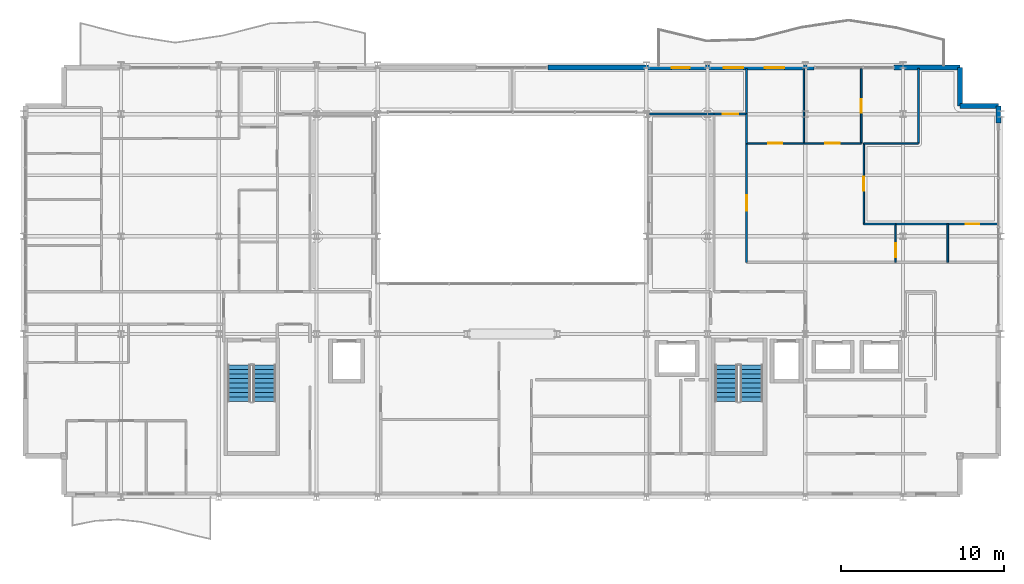
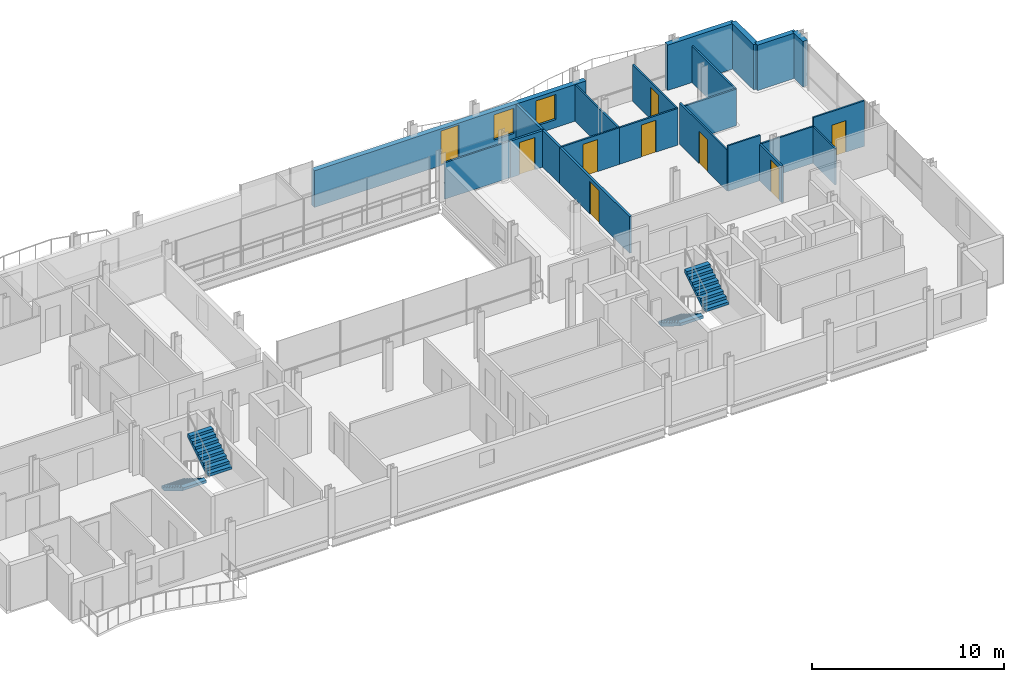
# One storey, part 32 of 35: 22 walls, 9 doors, 4 stair flights, 2 windows, 11 openings, 2 elements without a shape of their own.
"""IFC4 building model written with IfcOpenShell, lengths in metres."""

from ifc_helpers import new_model, si_unit, direction, frame, frame_2d, origin, place, context, subcontext, project, spatial, polyline, rectangle, outline, extrude, material, layer, layer_set, type_object, element, fill, aggregate, save


model = new_model("IFC4")

# Units and contexts
model_context = context("Model", 3, precision=1e-05, world=origin(), true_north=direction((0.0, 1.0)))
body_context = subcontext(model_context, "Body", "Model", "MODEL_VIEW")
ifc_project = project(units=[si_unit("LENGTHUNIT", "METRE"), si_unit("AREAUNIT", "SQUARE_METRE"), si_unit("VOLUMEUNIT", "CUBIC_METRE"), si_unit("PLANEANGLEUNIT", "RADIAN"), si_unit("MASSUNIT", "GRAM", prefix="KILO")], contexts=[model_context])

# Site, building, storey
site_placement = place(None, origin())
site = spatial("IfcSite", under=ifc_project, at=site_placement, CompositionType="ELEMENT")
building_placement = place(site_placement, origin())
building = spatial("IfcBuilding", under=site, at=building_placement, Name="Brevholm Reach", CompositionType="ELEMENT")
storey_placement = place(building_placement, frame((0.0, 0.0, 183.199951171875)))
storey = spatial("IfcBuildingStorey", under=building, at=storey_placement, Name="L55", CompositionType="ELEMENT", Elevation=183.199951171875)

# Walls
ifc_material_1 = material(Name="Concrete C40/50", Category="concrete")
ifc_layer_1 = layer(ifc_material_1, 0.300048828125)
ifc_layer_set_1 = layer_set([ifc_layer_1], Name="Concrete C40/50")
wall_type_1 = type_object("IfcWallType", Name="WAL-EXT-300", PredefinedType="STANDARD", material=ifc_layer_set_1)
for number, where, z_axis, x_axis, name in (
    (1, (59.85009765625, 24.0, 0.0), (0.0, 0.0, 1.0), (-1.0, 0.0, 0.0), "L55 Facade Wall WAL-L55-CNE1"),
    (2, (57.5, 24.0, 0.0), (0.0, 0.0, 1.0), (0.0, 1.0, 0.0), "L55 Facade Wall WAL-L55-CNE2"),
):
    element("IfcWall", number, at=place(storey_placement, frame(where, z_axis=z_axis, x_axis=x_axis)), inside=storey, type_object=wall_type_1, Name=name, PredefinedType="STANDARD", context=body_context, shape_type="SweptSolid", body=[
        extrude(rectangle(XDim=2.35009765625, YDim=0.300048828125, at=frame_2d((1.175048828125, 0.0))), origin(), (0.0, 0.0, 1.0), 2.89013671875),
    ])
wall_1_placement = place(storey_placement, frame((59.85009765625, 22.949951171875, 0.0), z_axis=(0.0, 0.0, 1.0), x_axis=(0.0, 1.0, 0.0)))
element("IfcWall", 3, at=wall_1_placement, inside=storey, type_object=wall_type_1, Name="L55 Facade Wall WAL-L55-E-N", PredefinedType="STANDARD", context=body_context, shape_type="SweptSolid", body=[
    extrude(rectangle(XDim=1.050048828125, YDim=0.300048828125, at=frame_2d((0.52490234375, 0.0))), origin(), (0.0, 0.0, 1.0), 2.89013671875),
])
wall_2_placement = place(storey_placement, frame((53.449951171875, 26.35009765625, 0.0), z_axis=(0.0, 0.0, 1.0), x_axis=(1.0, 0.0, 0.0)))
element("IfcWall", 4, at=wall_2_placement, inside=storey, type_object=wall_type_1, Name="L55 Facade Wall WAL-L55-NP-E0", PredefinedType="STANDARD", context=body_context, shape_type="SweptSolid", body=[
    extrude(rectangle(XDim=4.050048828125, YDim=0.300048828125, at=frame_2d((2.02490234375, 0.0))), origin(), (0.0, 0.0, 1.0), 2.89013671875),
])

# Wall, openings, door, windows
wall_3_placement = place(storey_placement, frame((32.199951171875, 26.35009765625, 0.0), z_axis=(0.0, 0.0, 1.0), x_axis=(1.0, 0.0, 0.0)))
wall_3 = element("IfcWall", 5, at=wall_3_placement, inside=storey, type_object=wall_type_1, Name="L55 Facade Wall WAL-L55-NP-ER", PredefinedType="STANDARD", context=body_context, shape_type="SweptSolid", body=[
    extrude(rectangle(XDim=16.35009765625, YDim=0.300048828125, at=frame_2d((8.175048828125, 0.0))), origin(), (0.0, 0.0, 1.0), 2.33203125),
])
opening_1_placement = place(wall_3_placement, frame((7.60009765625, 0.0, 0.0)))
opening_1 = element("IfcOpeningElement", 6, at=opening_1_placement, cuts=wall_3, Name="Opening BD-01", PredefinedType="OPENING", context=body_context, shape_type="SweptSolid", body=[
    extrude(rectangle(XDim=1.10009765625, YDim=2.199951171875, at=frame_2d((0.550048828125, 1.10009765625))), frame((0.0, 0.159912109375, 0.0), z_axis=(0.0, -1.0, 0.0), x_axis=(1.0, 0.0, 0.0)), (0.0, 0.0, 1.0), 0.320068359375),
])
opening_2_placement = place(wall_3_placement, frame((10.800048828125, 0.0, 0.511962890625)))
opening_2 = element("IfcOpeningElement", 7, at=opening_2_placement, cuts=wall_3, Name="Opening WN-08", PredefinedType="OPENING", context=body_context, shape_type="SweptSolid", body=[
    extrude(rectangle(XDim=1.199951171875, YDim=1.60009765625, at=frame_2d((0.60009765625, 0.800048828125))), frame((0.0, 0.159912109375, 0.0), z_axis=(0.0, -1.0, 0.0), x_axis=(1.0, 0.0, 0.0)), (0.0, 0.0, 1.0), 0.320068359375),
])
opening_3_placement = place(wall_3_placement, frame((13.3251953125, 0.0, 0.511962890625)))
opening_3 = element("IfcOpeningElement", 8, at=opening_3_placement, cuts=wall_3, Name="Opening WN-08", PredefinedType="OPENING", context=body_context, shape_type="SweptSolid", body=[
    extrude(rectangle(XDim=1.199951171875, YDim=1.60009765625, at=frame_2d((0.60009765625, 0.800048828125))), frame((0.0, 0.159912109375, 0.0), z_axis=(0.0, -1.0, 0.0), x_axis=(1.0, 0.0, 0.0)), (0.0, 0.0, 1.0), 0.320068359375),
])
ifc_material_2 = material(Name="Dark Anodised Aluminium and Triple-Glazed Glass", Category="aluminium")
door_type_1 = type_object("IfcDoorType", Name="DOR-BALC-1100", OperationType="NOTDEFINED", PredefinedType="DOOR", material=ifc_material_2)
door_1_placement = place(opening_1_placement, origin())
door_1 = element("IfcDoor", 9, at=door_1_placement, inside=storey, type_object=door_type_1, Name="L55 Exterior Door DOR-L55-BL-NE", OperationType="SINGLE_SWING_RIGHT", OverallHeight=2.199951171875, OverallWidth=1.10009765625, PredefinedType="DOOR", context=body_context, shape_type="SweptSolid", body=[
    extrude(rectangle(XDim=1.10009765625, YDim=2.199951171875, at=frame_2d((0.550048828125, 1.10009765625))), frame((0.0, 0.02490234375, 0.0), z_axis=(0.0, -1.0, 0.0), x_axis=(1.0, 0.0, 0.0)), (0.0, 0.0, 1.0), 0.050048828125),
])
fill(opening_1, door_1)
ifc_material_3 = material(Name="Dark Anodised Aluminium and Solar-Control IGU Glass", Category="aluminium")
window_type = type_object("IfcWindowType", Name="WIN-RES-1200", PartitioningType="SINGLE_PANEL", PredefinedType="WINDOW", material=ifc_material_3)
window_1_placement = place(opening_2_placement, origin())
window_1 = element("IfcWindow", 10, at=window_1_placement, inside=storey, type_object=window_type, Name="L55 Window WIN-L55-NP-ER1", OverallHeight=1.60009765625, OverallWidth=1.199951171875, PartitioningType="SINGLE_PANEL", PredefinedType="WINDOW", context=body_context, shape_type="SweptSolid", body=[
    extrude(rectangle(XDim=1.199951171875, YDim=1.60009765625, at=frame_2d((0.60009765625, 0.800048828125))), frame((0.0, 0.030029296875, 0.0), z_axis=(0.0, -1.0, 0.0), x_axis=(1.0, 0.0, 0.0)), (0.0, 0.0, 1.0), 0.06005859375),
])
fill(opening_2, window_1)
window_2_placement = place(opening_3_placement, origin())
window_2 = element("IfcWindow", 11, at=window_2_placement, inside=storey, type_object=window_type, Name="L55 Bedroom Window 053", OverallHeight=1.60009765625, OverallWidth=1.199951171875, PartitioningType="SINGLE_PANEL", PredefinedType="WINDOW", context=body_context, shape_type="SweptSolid", body=[
    extrude(rectangle(XDim=1.199951171875, YDim=1.60009765625, at=frame_2d((0.60009765625, 0.800048828125))), frame((0.0, 0.030029296875, 0.0), z_axis=(0.0, -1.0, 0.0), x_axis=(1.0, 0.0, 0.0)), (0.0, 0.0, 1.0), 0.06005859375),
])
fill(opening_3, window_2)

# Wall
ifc_material_4 = material(Name="Moisture-Resistant Acoustic Gypsum Stud Partition 100 mm", Category="gypsum")
ifc_layer_2 = layer(ifc_material_4, 0.10009765625)
ifc_layer_set_2 = layer_set([ifc_layer_2], Name="Moisture-Resistant Acoustic Gypsum Stud Partition 100 mm")
wall_type_2 = type_object("IfcWallType", Name="WAL-PRT-100", PredefinedType="PARTITIONING", material=ifc_layer_set_2)
wall_4_placement = place(storey_placement, frame((56.75, 14.404052734375, 0.0), z_axis=(0.0, 0.0, 1.0), x_axis=(0.0, 1.0, 0.0)))
element("IfcWall", 12, at=wall_4_placement, inside=storey, type_object=wall_type_2, Name="L55 Internal Partition 086", PredefinedType="PARTITIONING", context=body_context, shape_type="SweptSolid", body=[
    extrude(rectangle(XDim=2.345947265625, YDim=0.10009765625, at=frame_2d((1.1728515625, 0.0))), origin(), (0.0, 0.0, 1.0), 2.325439453125),
])

# Wall, opening, door
wall_5_placement = place(storey_placement, frame((56.75, 16.75, 0.0), z_axis=(0.0, 0.0, 1.0), x_axis=(1.0, 0.0, 0.0)))
wall_5 = element("IfcWall", 13, at=wall_5_placement, inside=storey, type_object=wall_type_2, Name="L55 Internal Partition 087", PredefinedType="PARTITIONING", context=body_context, shape_type="SweptSolid", body=[
    extrude(rectangle(XDim=3.050048828125, YDim=0.10009765625, at=frame_2d((1.52490234375, 0.0))), origin(), (0.0, 0.0, 1.0), 2.89013671875),
])
opening_4_placement = place(wall_5_placement, frame((1.114990234375, 0.0, 0.0)))
opening_4 = element("IfcOpeningElement", 14, at=opening_4_placement, cuts=wall_5, Name="Opening ID-03", PredefinedType="OPENING", context=body_context, shape_type="SweptSolid", body=[
    extrude(rectangle(XDim=0.820068359375, YDim=2.02001953125, at=frame_2d((0.41015625, 1.010009765625))), frame((0.0, 0.06005859375, 0.0), z_axis=(0.0, -1.0, 0.0), x_axis=(1.0, 0.0, 0.0)), (0.0, 0.0, 1.0), 0.1201171875),
])
ifc_material_5 = material(Name="Moisture-Resistant Painted Timber Internal Bathroom Door", Category="wood")
door_type_2 = type_object("IfcDoorType", Name="DOR-BATH-820", OperationType="NOTDEFINED", PredefinedType="DOOR", material=ifc_material_5)
door_2_placement = place(opening_4_placement, origin())
door_2 = element("IfcDoor", 15, at=door_2_placement, inside=storey, type_object=door_type_2, Name="L55 Access Door 045", OperationType="SINGLE_SWING_RIGHT", OverallHeight=2.02001953125, OverallWidth=0.820068359375, PredefinedType="DOOR", context=body_context, shape_type="SweptSolid", body=[
    extrude(rectangle(XDim=0.820068359375, YDim=2.02001953125, at=frame_2d((0.41015625, 1.010009765625))), frame((0.0, 0.02490234375, 0.0), z_axis=(0.0, -1.0, 0.0), x_axis=(1.0, 0.0, 0.0)), (0.0, 0.0, 1.0), 0.050048828125),
])
fill(opening_4, door_2)

# Wall
wall_6_placement = place(storey_placement, frame((53.550048828125, 16.75, 0.0), z_axis=(0.0, 0.0, 1.0), x_axis=(1.0, 0.0, 0.0)))
element("IfcWall", 16, at=wall_6_placement, inside=storey, type_object=wall_type_2, Name="L55 Internal Partition 088", PredefinedType="PARTITIONING", context=body_context, shape_type="SweptSolid", body=[
    extrude(rectangle(XDim=3.196044921875, YDim=0.10009765625, at=frame_2d((1.59814453125, 0.0))), origin(), (0.0, 0.0, 1.0), 2.325439453125),
])

# Wall, opening, door
wall_7_placement = place(storey_placement, frame((53.550048828125, 14.404052734375, 0.0), z_axis=(0.0, 0.0, 1.0), x_axis=(0.0, 1.0, 0.0)))
wall_7 = element("IfcWall", 17, at=wall_7_placement, inside=storey, type_object=wall_type_2, Name="L55 Internal Partition 089", PredefinedType="PARTITIONING", context=body_context, shape_type="SweptSolid", body=[
    extrude(rectangle(XDim=2.345947265625, YDim=0.10009765625, at=frame_2d((1.1728515625, 0.0))), origin(), (0.0, 0.0, 1.0), 2.325439453125),
])
opening_5_placement = place(wall_7_placement, frame((0.29296875, 0.0, 0.0)))
opening_5 = element("IfcOpeningElement", 18, at=opening_5_placement, cuts=wall_7, Name="Opening ID-01", PredefinedType="OPENING", context=body_context, shape_type="SweptSolid", body=[
    extrude(rectangle(XDim=0.8798828125, YDim=2.0400390625, at=frame_2d((0.43994140625, 1.02001953125))), frame((0.0, 0.06005859375, 0.0), z_axis=(0.0, -1.0, 0.0), x_axis=(1.0, 0.0, 0.0)), (0.0, 0.0, 1.0), 0.1201171875),
])
ifc_material_6 = material(Name="Lacquered Ash Solid-Core Acoustic Internal Door", Category="timber")
door_type_3 = type_object("IfcDoorType", Name="DOR-INT-880", OperationType="NOTDEFINED", PredefinedType="DOOR", material=ifc_material_6)
door_3_placement = place(opening_5_placement, origin())
door_3 = element("IfcDoor", 19, at=door_3_placement, inside=storey, type_object=door_type_3, Name="L55 Internal Door 039", OperationType="SINGLE_SWING_RIGHT", OverallHeight=2.0400390625, OverallWidth=0.8798828125, PredefinedType="DOOR", context=body_context, shape_type="SweptSolid", body=[
    extrude(rectangle(XDim=0.8798828125, YDim=2.0400390625, at=frame_2d((0.43994140625, 1.02001953125))), frame((0.0, 0.02490234375, 0.0), z_axis=(0.0, -1.0, 0.0), x_axis=(1.0, 0.0, 0.0)), (0.0, 0.0, 1.0), 0.050048828125),
])
fill(opening_5, door_3)

# Wall
wall_8_placement = place(storey_placement, frame((47.9169921875, 21.699951171875, 0.0), z_axis=(0.0, 0.0, 1.0), x_axis=(0.0, 1.0, 0.0)))
element("IfcWall", 20, at=wall_8_placement, inside=storey, type_object=wall_type_2, Name="L55 Internal Partition 090", PredefinedType="PARTITIONING", context=body_context, shape_type="SweptSolid", body=[
    extrude(rectangle(XDim=4.60009765625, YDim=0.10009765625, at=frame_2d((2.300048828125, 0.0))), origin(), (0.0, 0.0, 1.0), 2.325439453125),
])

# Wall, opening, door
wall_9_placement = place(storey_placement, frame((44.404052734375, 21.699951171875, 0.0), z_axis=(0.0, 0.0, 1.0), x_axis=(1.0, 0.0, 0.0)))
wall_9 = element("IfcWall", 21, at=wall_9_placement, inside=storey, type_object=wall_type_2, Name="L55 Internal Partition 091", PredefinedType="PARTITIONING", context=body_context, shape_type="SweptSolid", body=[
    extrude(rectangle(XDim=3.512939453125, YDim=0.10009765625, at=frame_2d((1.75634765625, 0.0))), origin(), (0.0, 0.0, 1.0), 2.325439453125),
])
opening_6_placement = place(wall_9_placement, frame((1.31640625, 0.0, 0.0)))
opening_6 = element("IfcOpeningElement", 22, at=opening_6_placement, cuts=wall_9, Name="Opening ID-01", PredefinedType="OPENING", context=body_context, shape_type="SweptSolid", body=[
    extrude(rectangle(XDim=0.8798828125, YDim=2.0400390625, at=frame_2d((0.43994140625, 1.02001953125))), frame((0.0, 0.06005859375, 0.0), z_axis=(0.0, -1.0, 0.0), x_axis=(1.0, 0.0, 0.0)), (0.0, 0.0, 1.0), 0.1201171875),
])
door_4_placement = place(opening_6_placement, origin())
door_4 = element("IfcDoor", 23, at=door_4_placement, inside=storey, type_object=door_type_3, Name="L55 Internal Door 040", OperationType="SINGLE_SWING_LEFT", OverallHeight=2.0400390625, OverallWidth=0.8798828125, PredefinedType="DOOR", context=body_context, shape_type="SweptSolid", body=[
    extrude(rectangle(XDim=0.8798828125, YDim=2.0400390625, at=frame_2d((0.43994140625, 1.02001953125))), frame((0.0, 0.02490234375, 0.0), z_axis=(0.0, -1.0, 0.0), x_axis=(1.0, 0.0, 0.0)), (0.0, 0.0, 1.0), 0.050048828125),
])
fill(opening_6, door_4)

wall_10_placement = place(storey_placement, frame((51.43408203125, 21.699951171875, 0.0), z_axis=(0.0, 0.0, 1.0), x_axis=(0.0, 1.0, 0.0)))
wall_10 = element("IfcWall", 24, at=wall_10_placement, inside=storey, type_object=wall_type_2, Name="L55 Internal Partition 093", PredefinedType="PARTITIONING", context=body_context, shape_type="SweptSolid", body=[
    extrude(rectangle(XDim=4.60009765625, YDim=0.10009765625, at=frame_2d((2.300048828125, 0.0))), origin(), (0.0, 0.0, 1.0), 2.325439453125),
])
opening_7_placement = place(wall_10_placement, frame((1.889892578125, 0.0, 0.0)))
opening_7 = element("IfcOpeningElement", 25, at=opening_7_placement, cuts=wall_10, Name="Opening ID-03", PredefinedType="OPENING", context=body_context, shape_type="SweptSolid", body=[
    extrude(rectangle(XDim=0.820068359375, YDim=2.02001953125, at=frame_2d((0.41015625, 1.010009765625))), frame((0.0, 0.06005859375, 0.0), z_axis=(0.0, -1.0, 0.0), x_axis=(1.0, 0.0, 0.0)), (0.0, 0.0, 1.0), 0.1201171875),
])
door_5_placement = place(opening_7_placement, origin())
door_5 = element("IfcDoor", 26, at=door_5_placement, inside=storey, type_object=door_type_2, Name="L55 Access Door 046", OperationType="SINGLE_SWING_LEFT", OverallHeight=2.02001953125, OverallWidth=0.820068359375, PredefinedType="DOOR", context=body_context, shape_type="SweptSolid", body=[
    extrude(rectangle(XDim=0.820068359375, YDim=2.02001953125, at=frame_2d((0.41015625, 1.010009765625))), frame((0.0, 0.02490234375, 0.0), z_axis=(0.0, -1.0, 0.0), x_axis=(1.0, 0.0, 0.0)), (0.0, 0.0, 1.0), 0.050048828125),
])
fill(opening_7, door_5)

wall_11_placement = place(storey_placement, frame((47.9208984375, 21.699951171875, 0.0), z_axis=(0.0, 0.0, 1.0), x_axis=(1.0, 0.0, 0.0)))
wall_11 = element("IfcWall", 27, at=wall_11_placement, inside=storey, type_object=wall_type_2, Name="L55 Internal Partition 094", PredefinedType="PARTITIONING", context=body_context, shape_type="SweptSolid", body=[
    extrude(rectangle(XDim=3.51318359375, YDim=0.10009765625, at=frame_2d((1.756591796875, 0.0))), origin(), (0.0, 0.0, 1.0), 2.325439453125),
])
opening_8_placement = place(wall_11_placement, frame((1.31640625, 0.0, 0.0)))
opening_8 = element("IfcOpeningElement", 28, at=opening_8_placement, cuts=wall_11, Name="Opening ID-01", PredefinedType="OPENING", context=body_context, shape_type="SweptSolid", body=[
    extrude(rectangle(XDim=0.8798828125, YDim=2.0400390625, at=frame_2d((0.43994140625, 1.02001953125))), frame((0.0, 0.06005859375, 0.0), z_axis=(0.0, -1.0, 0.0), x_axis=(1.0, 0.0, 0.0)), (0.0, 0.0, 1.0), 0.1201171875),
])
door_6_placement = place(opening_8_placement, origin())
door_6 = element("IfcDoor", 29, at=door_6_placement, inside=storey, type_object=door_type_3, Name="L55 Internal Door 041", OperationType="SINGLE_SWING_RIGHT", OverallHeight=2.0400390625, OverallWidth=0.8798828125, PredefinedType="DOOR", context=body_context, shape_type="SweptSolid", body=[
    extrude(rectangle(XDim=0.8798828125, YDim=2.0400390625, at=frame_2d((0.43994140625, 1.02001953125))), frame((0.0, 0.02490234375, 0.0), z_axis=(0.0, -1.0, 0.0), x_axis=(1.0, 0.0, 0.0)), (0.0, 0.0, 1.0), 0.050048828125),
])
fill(opening_8, door_6)

# Walls
wall_12_placement = place(storey_placement, frame((51.588623046875, 21.699951171875, 0.0), z_axis=(0.0, 0.0, 1.0), x_axis=(1.0, 0.0, 0.0)))
element("IfcWall", 30, at=wall_12_placement, inside=storey, type_object=wall_type_2, Name="L55 Internal Partition 095", PredefinedType="PARTITIONING", context=body_context, shape_type="SweptSolid", body=[
    extrude(rectangle(XDim=3.3623046875, YDim=0.10009765625, at=frame_2d((1.68115234375, 0.0))), origin(), (0.0, 0.0, 1.0), 2.325439453125),
])
wall_13_placement = place(storey_placement, frame((54.950927734375, 21.699951171875, 0.0), z_axis=(0.0, 0.0, 1.0), x_axis=(0.0, 1.0, 0.0)))
element("IfcWall", 31, at=wall_13_placement, inside=storey, type_object=wall_type_2, Name="L55 Internal Partition 096", PredefinedType="PARTITIONING", context=body_context, shape_type="SweptSolid", body=[
    extrude(rectangle(XDim=4.60009765625, YDim=0.10009765625, at=frame_2d((2.300048828125, 0.0))), origin(), (0.0, 0.0, 1.0), 2.325439453125),
])

# Wall, opening, door
wall_14_placement = place(storey_placement, frame((51.60009765625, 16.75, 0.0), z_axis=(0.0, 0.0, 1.0), x_axis=(0.0, 1.0, 0.0)))
wall_14 = element("IfcWall", 32, at=wall_14_placement, inside=storey, type_object=wall_type_2, Name="L55 Internal Partition 097", PredefinedType="PARTITIONING", context=body_context, shape_type="SweptSolid", body=[
    extrude(rectangle(XDim=4.946044921875, YDim=0.10009765625, at=frame_2d((2.47314453125, 0.0))), origin(), (0.0, 0.0, 1.0), 2.61376953125),
])
opening_9_placement = place(wall_14_placement, frame((2.032958984375, 0.0, 0.0)))
opening_9 = element("IfcOpeningElement", 33, at=opening_9_placement, cuts=wall_14, Name="Opening ID-01", PredefinedType="OPENING", context=body_context, shape_type="SweptSolid", body=[
    extrude(rectangle(XDim=0.8798828125, YDim=2.0400390625, at=frame_2d((0.43994140625, 1.02001953125))), frame((0.0, 0.06005859375, 0.0), z_axis=(0.0, -1.0, 0.0), x_axis=(1.0, 0.0, 0.0)), (0.0, 0.0, 1.0), 0.1201171875),
])
door_7_placement = place(opening_9_placement, origin())
door_7 = element("IfcDoor", 34, at=door_7_placement, inside=storey, type_object=door_type_3, Name="L55 Internal Door 042", OperationType="SINGLE_SWING_LEFT", OverallHeight=2.0400390625, OverallWidth=0.8798828125, PredefinedType="DOOR", context=body_context, shape_type="SweptSolid", body=[
    extrude(rectangle(XDim=0.8798828125, YDim=2.0400390625, at=frame_2d((0.43994140625, 1.02001953125))), frame((0.0, 0.02490234375, 0.0), z_axis=(0.0, -1.0, 0.0), x_axis=(1.0, 0.0, 0.0)), (0.0, 0.0, 1.0), 0.050048828125),
])
fill(opening_9, door_7)

# Walls
wall_15_placement = place(storey_placement, frame((51.60009765625, 16.75, 0.0), z_axis=(0.0, 0.0, 1.0), x_axis=(1.0, 0.0, 0.0)))
element("IfcWall", 35, at=wall_15_placement, inside=storey, type_object=wall_type_2, Name="L55 Internal Partition 098", PredefinedType="PARTITIONING", context=body_context, shape_type="SweptSolid", body=[
    extrude(rectangle(XDim=1.94580078125, YDim=0.10009765625, at=frame_2d((0.972900390625, 0.0))), origin(), (0.0, 0.0, 1.0), 2.89013671875),
])
wall_16_placement = place(storey_placement, frame((38.449951171875, 23.5, 0.0), z_axis=(0.0, 0.0, 1.0), x_axis=(1.0, 0.0, 0.0)))
element("IfcWall", 36, at=wall_16_placement, inside=storey, type_object=wall_type_2, Name="L55 Internal Partition 100", PredefinedType="PARTITIONING", context=body_context, shape_type="SweptSolid", body=[
    extrude(rectangle(XDim=3.946044921875, YDim=0.10009765625, at=frame_2d((1.97314453125, 0.0))), origin(), (0.0, 0.0, 1.0), 2.325439453125),
])
ifc_material_7 = material(Name="Twin-Stud Acoustic Fire-Rated Gypsum Partition 140 mm", Category="gypsum")
ifc_layer_3 = layer(ifc_material_7, 0.139892578125)
ifc_layer_set_3 = layer_set([ifc_layer_3], Name="Twin-Stud Acoustic Fire-Rated Gypsum Partition 140 mm")
wall_type_3 = type_object("IfcWallType", Name="WAL-PRT-140", PredefinedType="PARTITIONING", material=ifc_layer_set_3)
wall_17_placement = place(storey_placement, frame((44.39990234375, 21.688720703125, 0.0), z_axis=(0.0, 0.0, 1.0), x_axis=(0.0, 1.0, 0.0)))
element("IfcWall", 37, at=wall_17_placement, inside=storey, type_object=wall_type_3, Name="L55 Internal Partition 045", PredefinedType="PARTITIONING", context=body_context, shape_type="SweptSolid", body=[
    extrude(rectangle(XDim=1.811279296875, YDim=0.139892578125, at=frame_2d((0.90576171875, 0.0))), origin(), (0.0, 0.0, 1.0), 2.325439453125),
])

# Wall, opening, door
wall_18_placement = place(storey_placement, frame((44.39990234375, 14.392578125, 0.0), z_axis=(0.0, 0.0, 1.0), x_axis=(0.0, 1.0, 0.0)))
wall_18 = element("IfcWall", 38, at=wall_18_placement, inside=storey, type_object=wall_type_3, Name="L55 Internal Partition 046", PredefinedType="PARTITIONING", context=body_context, shape_type="SweptSolid", body=[
    extrude(rectangle(XDim=7.314697265625, YDim=0.139892578125, at=frame_2d((3.6572265625, 0.0))), origin(), (0.0, 0.0, 1.0), 2.325439453125),
])
opening_10_placement = place(wall_18_placement, frame((3.182373046875, 0.0, 0.0)))
opening_10 = element("IfcOpeningElement", 39, at=opening_10_placement, cuts=wall_18, Name="Opening ID-30", PredefinedType="OPENING", context=body_context, shape_type="SweptSolid", body=[
    extrude(rectangle(XDim=0.949951171875, YDim=2.050048828125, at=frame_2d((0.47509765625, 1.02490234375))), frame((0.0, 0.079833984375, 0.0), z_axis=(0.0, -1.0, 0.0), x_axis=(1.0, 0.0, 0.0)), (0.0, 0.0, 1.0), 0.159912109375),
])
ifc_material_8 = material(Name="European Oak Veneered Solid-Core Fire Entrance Door", Category="timber")
door_type_4 = type_object("IfcDoorType", Name="DOR-FLT-FD30S", OperationType="NOTDEFINED", PredefinedType="DOOR", material=ifc_material_8)
door_8_placement = place(opening_10_placement, origin())
door_8 = element("IfcDoor", 40, at=door_8_placement, inside=storey, type_object=door_type_4, Name="L55 Internal Door 024", OperationType="SINGLE_SWING_LEFT", OverallHeight=2.050048828125, OverallWidth=0.949951171875, PredefinedType="DOOR", context=body_context, shape_type="SweptSolid", body=[
    extrude(rectangle(XDim=0.949951171875, YDim=2.050048828125, at=frame_2d((0.47509765625, 1.02490234375))), frame((0.0, 0.02490234375, 0.0), z_axis=(0.0, -1.0, 0.0), x_axis=(1.0, 0.0, 0.0)), (0.0, 0.0, 1.0), 0.050048828125),
])
fill(opening_10, door_8)

wall_19_placement = place(storey_placement, frame((42.39990234375, 23.5, 0.0), z_axis=(0.0, 0.0, 1.0), x_axis=(1.0, 0.0, 0.0)))
wall_19 = element("IfcWall", 41, at=wall_19_placement, inside=storey, type_object=wall_type_3, Name="L55 Internal Partition 048", PredefinedType="PARTITIONING", context=body_context, shape_type="SweptSolid", body=[
    extrude(rectangle(XDim=2.0, YDim=0.139892578125, at=frame_2d((1.0, 0.0))), origin(), (0.0, 0.0, 1.0), 2.325439453125),
])
opening_11_placement = place(wall_19_placement, frame((0.52490234375, 0.0, 0.0)))
opening_11 = element("IfcOpeningElement", 42, at=opening_11_placement, cuts=wall_19, Name="Opening ID-30", PredefinedType="OPENING", context=body_context, shape_type="SweptSolid", body=[
    extrude(rectangle(XDim=0.949951171875, YDim=2.050048828125, at=frame_2d((0.47509765625, 1.02490234375))), frame((0.0, 0.079833984375, 0.0), z_axis=(0.0, -1.0, 0.0), x_axis=(1.0, 0.0, 0.0)), (0.0, 0.0, 1.0), 0.159912109375),
])
door_9_placement = place(opening_11_placement, origin())
door_9 = element("IfcDoor", 43, at=door_9_placement, inside=storey, type_object=door_type_4, Name="L55 Internal Door 025", OperationType="SINGLE_SWING_RIGHT", OverallHeight=2.050048828125, OverallWidth=0.949951171875, PredefinedType="DOOR", context=body_context, shape_type="SweptSolid", body=[
    extrude(rectangle(XDim=0.949951171875, YDim=2.050048828125, at=frame_2d((0.47509765625, 1.02490234375))), frame((0.0, 0.02490234375, 0.0), z_axis=(0.0, -1.0, 0.0), x_axis=(1.0, 0.0, 0.0)), (0.0, 0.0, 1.0), 0.050048828125),
])
fill(opening_11, door_9)

# Wall
wall_20_placement = place(storey_placement, frame((44.39990234375, 23.50390625, 0.0), z_axis=(0.0, 0.0, 1.0), x_axis=(0.0, 1.0, 0.0)))
element("IfcWall", 44, at=wall_20_placement, inside=storey, type_object=wall_type_3, Name="L55 Internal Partition 092", PredefinedType="PARTITIONING", context=body_context, shape_type="SweptSolid", body=[
    extrude(rectangle(XDim=2.796142578125, YDim=0.139892578125, at=frame_2d((1.39794921875, 0.0))), origin(), (0.0, 0.0, 1.0), 2.325439453125),
])

# Stair, stair flights
ifc_material_9 = material(Name="Precast Concrete C40/50", Category="concrete")
stair_type = type_object("IfcStairType", Name="STR-ESC-1400", PredefinedType="DOUBLE_RETURN_STAIR", material=ifc_material_9)
stair_1_placement = place(storey_placement, origin())
stair_1 = element("IfcStair", 45, at=stair_1_placement, inside=storey, type_object=stair_type, Name="L55 ST-1", PredefinedType="DOUBLE_RETURN_STAIR")
ifc_material_10 = material(Name="Precast Concrete C40/50", Category="concrete")
ifc_layer_4 = layer(ifc_material_10, 0.18505859375)
ifc_layer_set_4 = layer_set([ifc_layer_4], Name="Precast Concrete C40/50")
stair_flight_type = type_object("IfcStairFlightType", Name="STF-PRC-185", PredefinedType="STRAIGHT", material=ifc_layer_set_4)
stair_flight_1_placement = place(storey_placement, frame((13.25, 8.10009765625, 0.0), z_axis=(0.0, 0.0, 1.0), x_axis=(0.0, -1.0, 0.0)))
stair_flight_1 = element("IfcStairFlight", 46, at=stair_flight_1_placement, type_object=stair_flight_type, Name="ST-1 flight 1", NumberOfRisers=9, NumberOfTreads=8, PredefinedType="STRAIGHT", RiserHeight=0.172222222, TreadLength=0.28, context=body_context, shape_type="SweptSolid", body=[
    extrude(outline(polyline([(0.0, 0.0), (0.0, 0.172119140625), (0.280029296875, 0.172119140625), (0.280029296875, 0.344482421875), (0.56005859375, 0.344482421875), (0.56005859375, 0.5166015625), (0.840087890625, 0.5166015625), (0.840087890625, 0.68896484375), (1.1201171875, 0.68896484375), (1.1201171875, 0.861083984375), (1.39990234375, 0.861083984375), (1.39990234375, 1.033447265625), (1.679931640625, 1.033447265625), (1.679931640625, 1.20556640625), (1.9599609375, 1.20556640625), (1.9599609375, 1.377685546875), (2.239990234375, 1.377685546875), (2.239990234375, 1.550048828125), (2.239990234375, 1.201904296875), (0.2861328125, 0.0), (0.0, 0.0)])), frame((0.0, 0.699951171875, 0.0), z_axis=(0.0, -1.0, 0.0), x_axis=(1.0, 0.0, 0.0)), (0.0, 0.0, 1.0), 1.39990234375),
])
stair_flight_2_placement = place(storey_placement, frame((14.800048828125, 5.860107421875, 1.550048828125), z_axis=(0.0, 0.0, 1.0), x_axis=(0.0, 1.0, 0.0)))
stair_flight_2 = element("IfcStairFlight", 47, at=stair_flight_2_placement, type_object=stair_flight_type, Name="ST-1 flight 2", NumberOfRisers=9, NumberOfTreads=8, PredefinedType="STRAIGHT", RiserHeight=0.172222222, TreadLength=0.28, context=body_context, shape_type="SweptSolid", body=[
    extrude(outline(polyline([(0.0, 0.0), (0.0, 0.172119140625), (0.280029296875, 0.172119140625), (0.280029296875, 0.344482421875), (0.56005859375, 0.344482421875), (0.56005859375, 0.5166015625), (0.840087890625, 0.5166015625), (0.840087890625, 0.68896484375), (1.1201171875, 0.68896484375), (1.1201171875, 0.861083984375), (1.39990234375, 0.861083984375), (1.39990234375, 1.033447265625), (1.679931640625, 1.033447265625), (1.679931640625, 1.20556640625), (1.9599609375, 1.20556640625), (1.9599609375, 1.377685546875), (2.239990234375, 1.377685546875), (2.239990234375, 1.550048828125), (2.239990234375, 1.201904296875), (0.2861328125, 0.0), (0.0, 0.0)])), frame((0.0, 0.699951171875, 0.0), z_axis=(0.0, -1.0, 0.0), x_axis=(1.0, 0.0, 0.0)), (0.0, 0.0, 1.0), 1.39990234375),
])
aggregate(stair_1, [stair_flight_1, stair_flight_2])

stair_2_placement = place(storey_placement, origin())
stair_2 = element("IfcStair", 48, at=stair_2_placement, inside=storey, type_object=stair_type, Name="L55 ST-2", PredefinedType="DOUBLE_RETURN_STAIR")
stair_flight_3_placement = place(storey_placement, frame((43.14990234375, 8.10009765625, 0.0), z_axis=(0.0, 0.0, 1.0), x_axis=(0.0, -1.0, 0.0)))
stair_flight_3 = element("IfcStairFlight", 49, at=stair_flight_3_placement, type_object=stair_flight_type, Name="ST-2 flight 1", NumberOfRisers=9, NumberOfTreads=8, PredefinedType="STRAIGHT", RiserHeight=0.172222222, TreadLength=0.28, context=body_context, shape_type="SweptSolid", body=[
    extrude(outline(polyline([(0.0, 0.0), (0.0, 0.172119140625), (0.280029296875, 0.172119140625), (0.280029296875, 0.344482421875), (0.56005859375, 0.344482421875), (0.56005859375, 0.5166015625), (0.840087890625, 0.5166015625), (0.840087890625, 0.68896484375), (1.1201171875, 0.68896484375), (1.1201171875, 0.861083984375), (1.39990234375, 0.861083984375), (1.39990234375, 1.033447265625), (1.679931640625, 1.033447265625), (1.679931640625, 1.20556640625), (1.9599609375, 1.20556640625), (1.9599609375, 1.377685546875), (2.239990234375, 1.377685546875), (2.239990234375, 1.550048828125), (2.239990234375, 1.201904296875), (0.2861328125, 0.0), (0.0, 0.0)])), frame((0.0, 0.699951171875, 0.0), z_axis=(0.0, -1.0, 0.0), x_axis=(1.0, 0.0, 0.0)), (0.0, 0.0, 1.0), 1.39990234375),
])
stair_flight_4_placement = place(storey_placement, frame((44.699951171875, 5.860107421875, 1.550048828125), z_axis=(0.0, 0.0, 1.0), x_axis=(0.0, 1.0, 0.0)))
stair_flight_4 = element("IfcStairFlight", 50, at=stair_flight_4_placement, type_object=stair_flight_type, Name="ST-2 flight 2", NumberOfRisers=9, NumberOfTreads=8, PredefinedType="STRAIGHT", RiserHeight=0.172222222, TreadLength=0.28, context=body_context, shape_type="SweptSolid", body=[
    extrude(outline(polyline([(0.0, 0.0), (0.0, 0.172119140625), (0.280029296875, 0.172119140625), (0.280029296875, 0.344482421875), (0.56005859375, 0.344482421875), (0.56005859375, 0.5166015625), (0.840087890625, 0.5166015625), (0.840087890625, 0.68896484375), (1.1201171875, 0.68896484375), (1.1201171875, 0.861083984375), (1.39990234375, 0.861083984375), (1.39990234375, 1.033447265625), (1.679931640625, 1.033447265625), (1.679931640625, 1.20556640625), (1.9599609375, 1.20556640625), (1.9599609375, 1.377685546875), (2.239990234375, 1.377685546875), (2.239990234375, 1.550048828125), (2.239990234375, 1.201904296875), (0.2861328125, 0.0), (0.0, 0.0)])), frame((0.0, 0.699951171875, 0.0), z_axis=(0.0, -1.0, 0.0), x_axis=(1.0, 0.0, 0.0)), (0.0, 0.0, 1.0), 1.39990234375),
])
aggregate(stair_2, [stair_flight_3, stair_flight_4])

save(model, "model.ifc")
